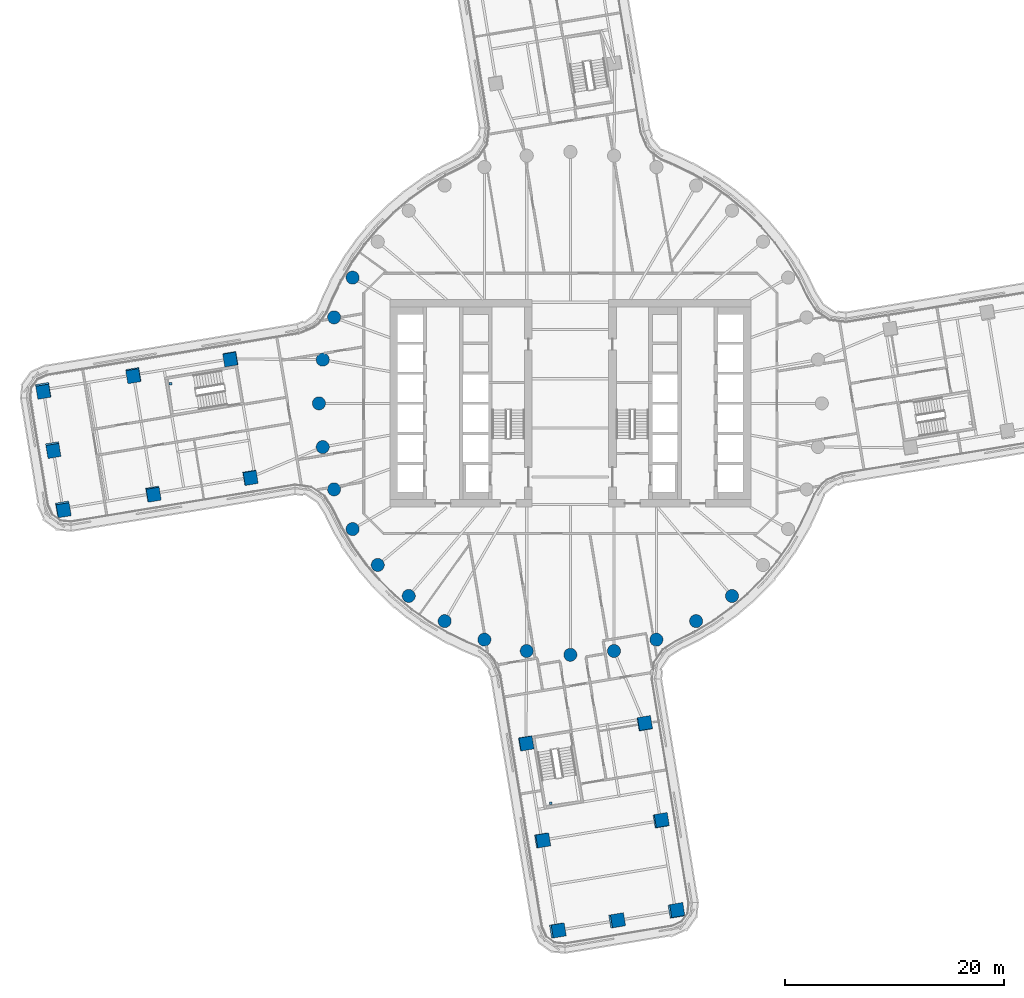
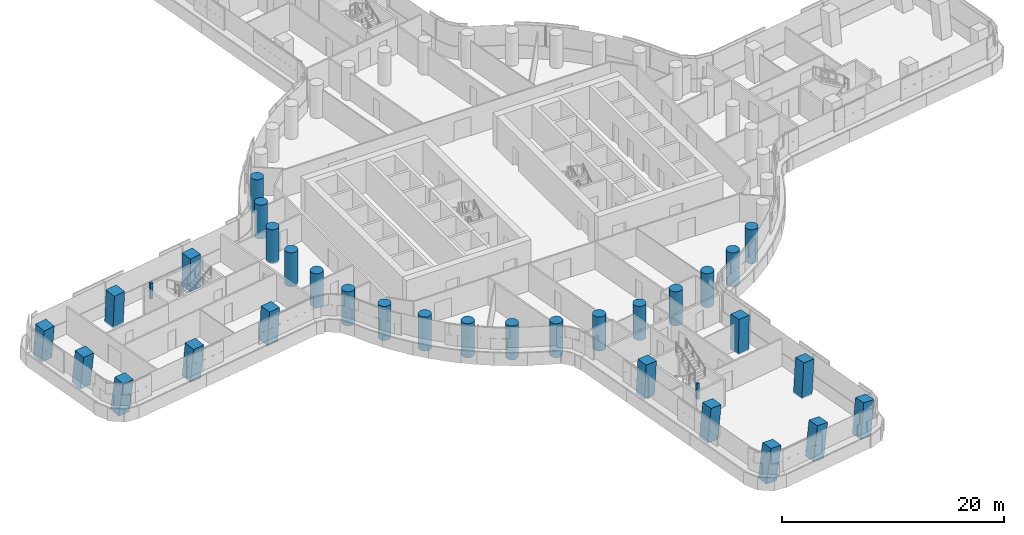
# One storey, part 1 of 32: 33 columns.
"""IFC4 building model written with IfcOpenShell, lengths in metres."""

import ifcopenshell
import ifcopenshell.guid

model = None  # the IFC model being written
_history = None  # IfcOwnerHistory: only IFC2X3 demands one
_inside = {}  # id of a spatial element -> (the spatial element, [elements in it])
_under = {}  # id of a project, library or spatial element -> (it, [spatial elements below it])
_declared = {}  # id of a project -> (the project, [libraries it declares])
_typed = {}  # id of a type object -> (the type object, [elements of that type])
_made_of = {}  # id of a material, layer set ... -> (it, [elements and type objects made of it])


def new_model(schema):
    """Start an empty IFC model of exactly this schema.

    Asked for "IFC4X3", IfcOpenShell would pick the latest addendum, in which some entities
    have other attributes; the version numbers below select the first issue.
    IFC2X3 requires an IfcOwnerHistory on every rooted entity: one is made here for all.
    """
    global model, _history
    if schema == "IFC4X3":
        model = ifcopenshell.file(schema_version=(4, 3, 0, 0))
    else:
        model = ifcopenshell.file(schema=schema)
    _inside.clear()
    _under.clear()
    _declared.clear()
    _typed.clear()
    _made_of.clear()
    _history = None
    if model.schema == "IFC2X3":
        org = make("IfcOrganization", Name="unknown")
        user = make(
            "IfcPersonAndOrganization",
            ThePerson=make("IfcPerson", FamilyName="unknown"),
            TheOrganization=org,
        )
        app = make(
            "IfcApplication",
            ApplicationDeveloper=org,
            Version="unknown",
            ApplicationFullName="unknown",
            ApplicationIdentifier="unknown",
        )
        _history = make(
            "IfcOwnerHistory",
            OwningUser=user,
            OwningApplication=app,
            ChangeAction="ADDED",
            CreationDate=0,
        )
    return model


def make(cls, **values):
    """One entity of the class cls with the attributes given. An attribute that is None is left unset."""
    return model.create_entity(
        cls, **{name: value for name, value in values.items() if value is not None}
    )


def rooted(cls, **values):
    """An entity with a GlobalId (a new one), such as an element, a storey or a relation."""
    return make(cls, GlobalId=ifcopenshell.guid.new(), OwnerHistory=_history, **values)


def si_unit(unit_type, name, prefix=None):
    """IfcSIUnit, for example si_unit("LENGTHUNIT", "METRE", prefix="MILLI")."""
    return make("IfcSIUnit", UnitType=unit_type, Prefix=prefix, Name=name)


def assignment(units):
    """IfcUnitAssignment: the units of a project."""
    return None if units is None else make("IfcUnitAssignment", Units=units)


def point(xyz):
    """IfcCartesianPoint."""
    return None if xyz is None else make("IfcCartesianPoint", Coordinates=xyz)


def direction(xyz):
    """IfcDirection."""
    return None if xyz is None else make("IfcDirection", DirectionRatios=xyz)


def frame(location, z_axis=None, x_axis=None):
    """IfcAxis2Placement3D, a coordinate frame: its origin and axes. An axis left out is left unset."""
    return make(
        "IfcAxis2Placement3D",
        Location=point(location),
        Axis=direction(z_axis),
        RefDirection=direction(x_axis),
    )


def frame_2d(location, x_axis=None):
    """IfcAxis2Placement2D, a coordinate frame in the plane: its origin and x axis."""
    return make(
        "IfcAxis2Placement2D", Location=point(location), RefDirection=direction(x_axis)
    )


def origin():
    """The frame at (0, 0, 0) with its axes left unset."""
    return frame((0.0, 0.0, 0.0))


def origin_2d():
    """The frame at (0, 0) in the plane with its x axis left unset."""
    return frame_2d((0.0, 0.0))


def place(relative_to, where):
    """IfcLocalPlacement: puts the frame where relative to a parent placement (None: the world)."""
    return make(
        "IfcLocalPlacement", PlacementRelTo=relative_to, RelativePlacement=where
    )


def context(
    kind, dimensions, precision=None, world=None, true_north=None, identifier=None
):
    """IfcGeometricRepresentationContext, for example the 3D "Model" context."""
    return make(
        "IfcGeometricRepresentationContext",
        ContextIdentifier=identifier,
        ContextType=kind,
        CoordinateSpaceDimension=dimensions,
        Precision=precision,
        WorldCoordinateSystem=world,
        TrueNorth=true_north,
    )


def subcontext(parent, identifier, kind, view, scale=None):
    """IfcGeometricRepresentationSubContext, for example "Body" below "Model"."""
    return make(
        "IfcGeometricRepresentationSubContext",
        ContextIdentifier=identifier,
        ContextType=kind,
        ParentContext=parent,
        TargetScale=scale,
        TargetView=view,
    )


def project(units=None, contexts=None):
    """IfcProject with its units and contexts."""
    return rooted(
        "IfcProject",
        Name="project",
        RepresentationContexts=contexts,
        UnitsInContext=assignment(units),
    )


def spatial(cls, under=None, at=None, **own):
    """A site, building, storey or space (cls), placed at a placement, below another one or the project."""
    s = rooted(cls, ObjectPlacement=at, **own)
    if under is not None:
        _under.setdefault(under.id(), (under, []))[1].append(s)
    return s


def profile(cls, at=None, kind="AREA", **sizes):
    """A parametric profile (cls). Its sizes go by their IFC names, for example OverallWidth=200.0."""
    return make(cls, ProfileType=kind, Position=at, **sizes)


def rectangle(**sizes):
    """IfcRectangleProfileDef."""
    return profile("IfcRectangleProfileDef", **sizes)


def circle(**sizes):
    """IfcCircleProfileDef."""
    return profile("IfcCircleProfileDef", **sizes)


def extrude(swept, where, along, depth):
    """IfcExtrudedAreaSolid: the profile swept, set in the frame where, extruded along a direction by depth."""
    return make(
        "IfcExtrudedAreaSolid",
        SweptArea=swept,
        Position=where,
        ExtrudedDirection=direction(along),
        Depth=depth,
    )


def shape(context_of_items, identifier, shape_type, items):
    """IfcShapeRepresentation: the items that make up one representation, for example the "Body"."""
    return make(
        "IfcShapeRepresentation",
        ContextOfItems=context_of_items,
        RepresentationIdentifier=identifier,
        RepresentationType=shape_type,
        Items=items,
    )


def material(Name=None, Category=None):
    """IfcMaterial."""
    return make("IfcMaterial", Name=Name, Category=Category)


def material_profile(
    of_material, cross_section, Name=None, Category=None, Priority=None
):
    """IfcMaterialProfile: a cross section and its material."""
    return make(
        "IfcMaterialProfile",
        Name=Name,
        Material=of_material,
        Profile=cross_section,
        Priority=Priority,
        Category=Category,
    )


def profile_set(profiles, Name=None, composite=None):
    """IfcMaterialProfileSet."""
    return make(
        "IfcMaterialProfileSet",
        Name=Name,
        MaterialProfiles=profiles,
        CompositeProfile=composite,
    )


def made_of(thing, what):
    """Note that an element or type object is made of a material, layer set ...; save() writes the relation."""
    if what is not None:
        _made_of.setdefault(what.id(), (what, []))[1].append(thing)
    return thing


def type_object(cls, material=None, **own):
    """A type object (cls), such as IfcWallType, which elements share."""
    return made_of(rooted(cls, **own), material)


def element(
    cls,
    number,
    at=None,
    inside=None,
    cuts=None,
    type_object=None,
    material=None,
    context=None,
    identifier="Body",
    shape_type=None,
    held_by="IfcProductDefinitionShape",
    body=None,
    shapes=None,
    **own,
):
    """One element of the class cls, such as IfcWall. Its Tag is "e" and its number.

    at: its placement. inside: the storey or other place that contains it. cuts: it is an
    opening in that element (IfcRelVoidsElement). A single representation is given by context,
    identifier, shape_type and body (its items); several are given by shapes. held_by: the class
    of the entity that holds the representations. save() writes the other relations.
    """
    e = rooted(cls, Tag="e%d" % number, ObjectPlacement=at, **own)
    if body is not None:
        shapes = [shape(context, identifier, shape_type, body)]
    if shapes is not None:
        e.Representation = make(held_by, Representations=shapes)
    if inside is not None:
        _inside.setdefault(inside.id(), (inside, []))[1].append(e)
    if cuts is not None:
        rooted(
            "IfcRelVoidsElement", RelatingBuildingElement=cuts, RelatedOpeningElement=e
        )
    if type_object is not None:
        _typed.setdefault(type_object.id(), (type_object, []))[1].append(e)
    return made_of(e, material)


def aggregate(whole, parts):
    """IfcRelAggregates: a whole, such as a stair, and the parts it consists of."""
    return rooted("IfcRelAggregates", RelatingObject=whole, RelatedObjects=parts)


def save(model, path):
    """Write the relations noted so far, then the file.

    IfcRelAggregates (storeys below a building ...), IfcRelContainedInSpatialStructure (elements
    in a storey), IfcRelDefinesByType, IfcRelAssociatesMaterial and IfcRelDeclares: one each for
    every whole, place, type object, material and project.
    """
    for whole, parts in _under.values():
        aggregate(whole, parts)
    for where, things in _inside.values():
        rooted(
            "IfcRelContainedInSpatialStructure",
            RelatedElements=things,
            RelatingStructure=where,
        )
    for kind, things in _typed.values():
        rooted("IfcRelDefinesByType", RelatedObjects=things, RelatingType=kind)
    for what, things in _made_of.values():
        rooted("IfcRelAssociatesMaterial", RelatedObjects=things, RelatingMaterial=what)
    for by, libraries in _declared.values():
        rooted("IfcRelDeclares", RelatingContext=by, RelatedDefinitions=libraries)
    model.write(path)


model = new_model("IFC4")

# Units and contexts
model_context = context("Model", 3, precision=1e-05, world=origin(), true_north=direction((0.0, 1.0)))
body_context = subcontext(model_context, "Body", "Model", "MODEL_VIEW")
ifc_project = project(units=[si_unit("LENGTHUNIT", "METRE"), si_unit("AREAUNIT", "SQUARE_METRE"), si_unit("VOLUMEUNIT", "CUBIC_METRE"), si_unit("PLANEANGLEUNIT", "RADIAN"), si_unit("MASSUNIT", "GRAM", prefix="KILO")], contexts=[model_context])

# Site, building, storey
site_placement = place(None, origin())
site = spatial("IfcSite", under=ifc_project, at=site_placement, CompositionType="ELEMENT")
building_placement = place(site_placement, origin())
building = spatial("IfcBuilding", under=site, at=building_placement, Name="Tamarind Cross Interchange Tower", CompositionType="ELEMENT")
storey_placement = place(building_placement, frame((0.0, 0.0, 67.75)))
storey = spatial("IfcBuildingStorey", under=building, at=storey_placement, Name="L15", CompositionType="ELEMENT", Elevation=67.75)

# Columns
ifc_material_1 = material(Name="Concrete C70", Category="concrete")
ifc_material_profile_1 = material_profile(ifc_material_1, rectangle(XDim=1.199951171875, YDim=1.199951171875, at=origin_2d()), Name="RC 1200x1200")
ifc_profile_set_1 = profile_set([ifc_material_profile_1], Name="Concrete C70")
column_type_1 = type_object("IfcColumnType", Name="Column RC 1200x1200 Concrete C70", PredefinedType="COLUMN", material=ifc_profile_set_1)
for number, where, z_axis, x_axis, name in (
    (1, (-38.1689453125, -8.252685546875, -0.138427734375), (0.040696619998, -0.077953174829, 0.996126040045), (-0.161771011337, 0.983284447578, 0.083557375751), "Column L15-050"),
    (2, (-39.966064453125, 2.599365234375, -0.138427734375), (-0.011813089853, -0.087105310894, 0.996129065795), (0.986445272806, 0.162038865487, 0.025867543959), "Column L15-051"),
):
    element("IfcColumn", number, at=place(storey_placement, frame(where, z_axis=z_axis, x_axis=x_axis)), inside=storey, type_object=column_type_1, Name=name, PredefinedType="COLUMN", context=body_context, shape_type="SweptSolid", body=[
        extrude(rectangle(XDim=1.199951171875, YDim=1.199951171875, at=origin_2d()), origin(), (0.0, 0.0, 1.0), 3.761474609375),
    ])
for number, where, z_axis, x_axis, name in (
    (3, (-29.289794921875, -6.7822265625, -0.138671875), (0.0332531625, -0.035075253596, 0.998831293948), (-0.16299732754, 0.985813521068, 0.040044636278), "Column L15-052"),
    (4, (-31.087158203125, 4.070068359375, -0.138671875), (-0.01932716713, -0.044315827662, 0.998830600267), (0.986189119231, 0.16351563828, 0.026337371691), "Column L15-053"),
):
    element("IfcColumn", number, at=place(storey_placement, frame(where, z_axis=z_axis, x_axis=x_axis)), inside=storey, type_object=column_type_1, Name=name, PredefinedType="COLUMN", context=body_context, shape_type="SweptSolid", body=[
        extrude(rectangle(XDim=1.199951171875, YDim=1.199951171875, at=origin_2d()), origin(), (0.0, 0.0, 1.0), 3.751708984375),
    ])
column_1_placement = place(storey_placement, frame((-48.214111328125, 1.2333984375, -0.138671875), z_axis=(-6.4635009e-05, -0.125585822985, 0.992082757076), x_axis=(0.986565168569, 0.162066752246, 0.020579989887)))
element("IfcColumn", 5, at=column_1_placement, inside=storey, type_object=column_type_1, Name="Column L15-054", PredefinedType="COLUMN", context=body_context, shape_type="SweptSolid", body=[
    extrude(rectangle(XDim=1.199951171875, YDim=1.199951171875, at=origin_2d()), origin(), (0.0, 0.0, 1.0), 3.777099609375),
])
column_2_placement = place(storey_placement, frame((-47.3154296875, -4.192626953125, -0.138671875), z_axis=(0.026053607977, -0.1210878604, 0.992299823428), x_axis=(-0.161569262409, 0.979075915707, 0.123716307438)))
element("IfcColumn", 6, at=column_2_placement, inside=storey, type_object=column_type_1, Name="Column L15-055", PredefinedType="COLUMN", context=body_context, shape_type="SweptSolid", body=[
    extrude(rectangle(XDim=1.199951171875, YDim=1.199951171875, at=origin_2d()), origin(), (0.0, 0.0, 1.0), 3.7763671875),
])
column_3_placement = place(storey_placement, frame((-46.416748046875, -9.61865234375, -0.138427734375), z_axis=(0.052153719159, -0.116457251456, 0.991825437343), x_axis=(-0.159863217449, 0.97939533561, 0.123403923324)))
element("IfcColumn", 7, at=column_3_placement, inside=storey, type_object=column_type_1, Name="Column L15-056", PredefinedType="COLUMN", context=body_context, shape_type="SweptSolid", body=[
    extrude(rectangle(XDim=1.199951171875, YDim=1.199951171875, at=origin_2d()), origin(), (0.0, 0.0, 1.0), 3.777587890625),
])
for number, where, z_axis, x_axis, name in (
    (8, (8.252685546875, -38.1689453125, -0.138427734375), (0.077953174829, 0.040696619998, 0.996126040045), (-0.983284447578, -0.161771011337, 0.083557375751), "Column L15-057"),
    (9, (-2.599365234375, -39.966064453125, -0.138427734375), (0.087105310894, -0.011813089853, 0.996129065795), (-0.162038865487, 0.986445272806, 0.025867543959), "Column L15-058"),
):
    element("IfcColumn", number, at=place(storey_placement, frame(where, z_axis=z_axis, x_axis=x_axis)), inside=storey, type_object=column_type_1, Name=name, PredefinedType="COLUMN", context=body_context, shape_type="SweptSolid", body=[
        extrude(rectangle(XDim=1.199951171875, YDim=1.199951171875, at=origin_2d()), origin(), (0.0, 0.0, 1.0), 3.761474609375),
    ])
for number, where, z_axis, x_axis, name in (
    (10, (6.7822265625, -29.289794921875, -0.138671875), (0.035075253596, 0.0332531625, 0.998831293948), (-0.985813521068, -0.16299732754, 0.040044636278), "Column L15-059"),
    (11, (-4.070068359375, -31.087158203125, -0.138671875), (0.044315827662, -0.01932716713, 0.998830600267), (-0.16351563828, 0.986189119231, 0.026337371691), "Column L15-060"),
):
    element("IfcColumn", number, at=place(storey_placement, frame(where, z_axis=z_axis, x_axis=x_axis)), inside=storey, type_object=column_type_1, Name=name, PredefinedType="COLUMN", context=body_context, shape_type="SweptSolid", body=[
        extrude(rectangle(XDim=1.199951171875, YDim=1.199951171875, at=origin_2d()), origin(), (0.0, 0.0, 1.0), 3.751708984375),
    ])
column_4_placement = place(storey_placement, frame((-1.2333984375, -48.214111328125, -0.138671875), z_axis=(0.125585822985, -6.4635009e-05, 0.992082757076), x_axis=(-0.162066752246, 0.986565168569, 0.020579989887)))
element("IfcColumn", 12, at=column_4_placement, inside=storey, type_object=column_type_1, Name="Column L15-061", PredefinedType="COLUMN", context=body_context, shape_type="SweptSolid", body=[
    extrude(rectangle(XDim=1.199951171875, YDim=1.199951171875, at=origin_2d()), origin(), (0.0, 0.0, 1.0), 3.777099609375),
])
column_5_placement = place(storey_placement, frame((4.192626953125, -47.3154296875, -0.138671875), z_axis=(0.1210878604, 0.026053607977, 0.992299823428), x_axis=(-0.979075915707, -0.161569262409, 0.123716307438)))
element("IfcColumn", 13, at=column_5_placement, inside=storey, type_object=column_type_1, Name="Column L15-062", PredefinedType="COLUMN", context=body_context, shape_type="SweptSolid", body=[
    extrude(rectangle(XDim=1.199951171875, YDim=1.199951171875, at=origin_2d()), origin(), (0.0, 0.0, 1.0), 3.7763671875),
])
column_6_placement = place(storey_placement, frame((9.61865234375, -46.416748046875, -0.138427734375), z_axis=(0.116457251456, 0.052153719159, 0.991825437343), x_axis=(-0.97939533561, -0.159863217449, 0.123403923324)))
element("IfcColumn", 14, at=column_6_placement, inside=storey, type_object=column_type_1, Name="Column L15-063", PredefinedType="COLUMN", context=body_context, shape_type="SweptSolid", body=[
    extrude(rectangle(XDim=1.199951171875, YDim=1.199951171875, at=origin_2d()), origin(), (0.0, 0.0, 1.0), 3.777587890625),
])
ifc_material_2 = material(Name="Concrete C40", Category="concrete")
ifc_material_profile_2 = material_profile(ifc_material_2, rectangle(XDim=0.25, YDim=0.25, at=origin_2d()), Name="RC 250x250")
ifc_profile_set_2 = profile_set([ifc_material_profile_2], Name="Concrete C40")
column_type_2 = type_object("IfcColumnType", Name="Column RC 250x250 Concrete C40", PredefinedType="COLUMN", material=ifc_profile_set_2)
for number, where, z_axis, x_axis, name in (
    (15, (-36.565673828125, 1.788330078125, 1.875), (0.0, 0.0, 1.0), (1.0, 0.0, 0.0), "Column ST5 landing L16"),
    (16, (-1.788330078125, -36.565673828125, 1.875), (0.0, 0.0, 1.0), (1.0, 0.0, 0.0), "Column ST6 landing L16"),
):
    element("IfcColumn", number, at=place(storey_placement, frame(where, z_axis=z_axis, x_axis=x_axis)), inside=storey, type_object=column_type_2, Name=name, PredefinedType="COLUMN", context=body_context, shape_type="SweptSolid", body=[
        extrude(rectangle(XDim=0.25, YDim=0.25, at=origin_2d()), origin(), (0.0, 0.0, 1.0), 1.735107421875),
    ])
ifc_material_profile_3 = material_profile(ifc_material_1, circle(Radius=0.60009765625, at=origin_2d()), Name="RC D1200")
ifc_profile_set_3 = profile_set([ifc_material_profile_3], Name="Concrete C70")
column_type_3 = type_object("IfcColumnType", Name="Column RC D1200 Concrete C70", PredefinedType="COLUMN", material=ifc_profile_set_3)
for number, where, z_axis, x_axis, name in (
    (17, (-19.918701171875, 11.5, -0.139892578125), (0.0, 0.0, 1.0), (1.0, 0.0, 0.0), "Column L15-015"),
    (18, (-21.613037109375, 7.866455078125, -0.139892578125), (0.0, 0.0, 1.0), (1.0, 0.0, 0.0), "Column L15-016"),
    (19, (-22.650634765625, 3.993896484375, -0.139892578125), (0.0, 0.0, 1.0), (1.0, 0.0, 0.0), "Column L15-017"),
    (20, (-23.0, 0.0, -0.139892578125), (0.0, 0.0, 1.0), (1.0, 0.0, 0.0), "Column L15-018"),
    (21, (-22.650634765625, -3.993896484375, -0.139892578125), (0.0, 0.0, 1.0), (1.0, 0.0, 0.0), "Column L15-019"),
    (22, (-21.613037109375, -7.866455078125, -0.139892578125), (0.0, 0.0, 1.0), (1.0, 0.0, 0.0), "Column L15-020"),
    (23, (-19.918701171875, -11.5, -0.139892578125), (0.0, 0.0, 1.0), (1.0, 0.0, 0.0), "Column L15-021"),
    (24, (-17.619140625, -14.7841796875, -0.139892578125), (0.0, 0.0, 1.0), (1.0, 0.0, 0.0), "Column L15-022"),
    (25, (-14.7841796875, -17.619140625, -0.139892578125), (0.0, 0.0, 1.0), (1.0, 0.0, 0.0), "Column L15-023"),
    (26, (-11.5, -19.918701171875, -0.139892578125), (0.0, 0.0, 1.0), (1.0, 0.0, 0.0), "Column L15-024"),
    (27, (-7.866455078125, -21.613037109375, -0.139892578125), (0.0, 0.0, 1.0), (1.0, 0.0, 0.0), "Column L15-025"),
    (28, (-3.993896484375, -22.650634765625, -0.139892578125), (0.0, 0.0, 1.0), (1.0, 0.0, 0.0), "Column L15-026"),
    (29, (0.0, -23.0, -0.139892578125), (0.0, 0.0, 1.0), (1.0, 0.0, 0.0), "Column L15-027"),
    (30, (3.993896484375, -22.650634765625, -0.139892578125), (0.0, 0.0, 1.0), (1.0, 0.0, 0.0), "Column L15-028"),
    (31, (7.866455078125, -21.613037109375, -0.139892578125), (0.0, 0.0, 1.0), (1.0, 0.0, 0.0), "Column L15-029"),
    (32, (11.5, -19.918701171875, -0.139892578125), (0.0, 0.0, 1.0), (1.0, 0.0, 0.0), "Column L15-030"),
    (33, (14.7841796875, -17.619140625, -0.139892578125), (0.0, 0.0, 1.0), (1.0, 0.0, 0.0), "Column L15-031"),
):
    element("IfcColumn", number, at=place(storey_placement, frame(where, z_axis=z_axis, x_axis=x_axis)), inside=storey, type_object=column_type_3, Name=name, PredefinedType="COLUMN", context=body_context, shape_type="SweptSolid", body=[
        extrude(circle(Radius=0.60009765625, at=origin_2d()), origin(), (0.0, 0.0, 1.0), 3.75),
    ])

save(model, "model.ifc")
